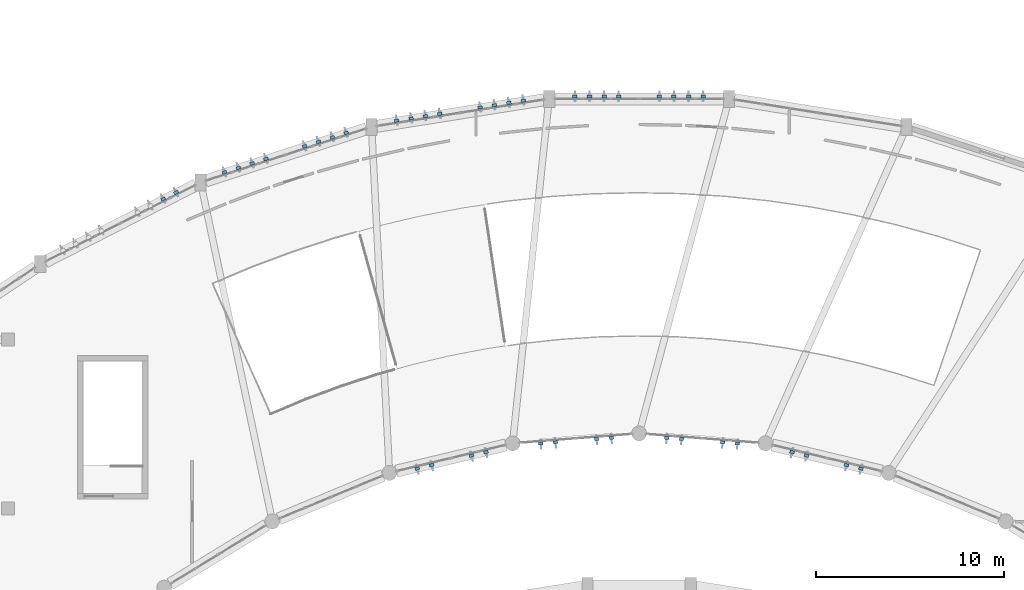
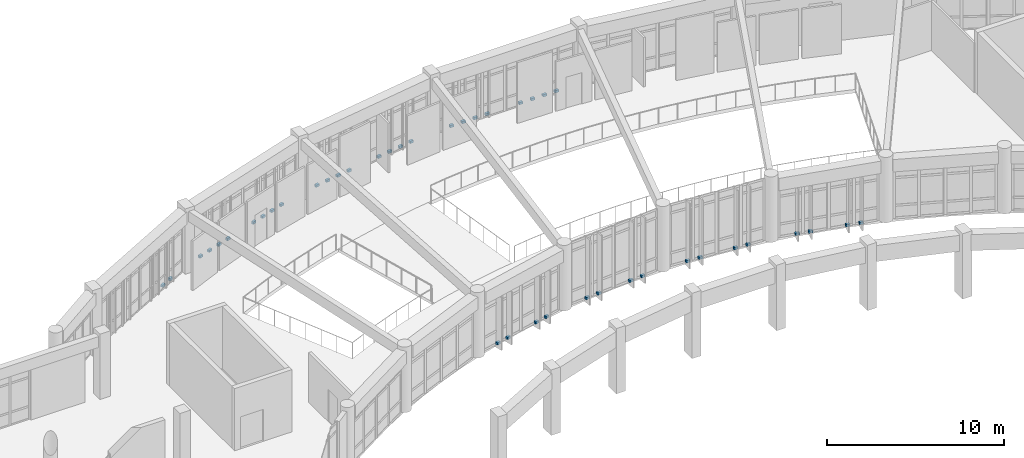
# One storey, part 49 of 54: 42 discrete accessories.
"""IFC4 building model written with IfcOpenShell, lengths in metres."""

from ifc_helpers import new_model, si_unit, direction, frame, origin, origin_2d, place, context, subcontext, project, spatial, rectangle, extrude, material, type_object, element, save


model = new_model("IFC4")

# Units and contexts
model_context = context("Model", 3, precision=1e-05, world=origin(), true_north=direction((0.0, 1.0)))
body_context = subcontext(model_context, "Body", "Model", "MODEL_VIEW")
ifc_project = project(units=[si_unit("LENGTHUNIT", "METRE"), si_unit("AREAUNIT", "SQUARE_METRE"), si_unit("VOLUMEUNIT", "CUBIC_METRE"), si_unit("PLANEANGLEUNIT", "RADIAN"), si_unit("MASSUNIT", "GRAM", prefix="KILO")], contexts=[model_context])

# Site, building, storey
site_placement = place(None, origin())
site = spatial("IfcSite", under=ifc_project, at=site_placement, CompositionType="ELEMENT")
building_placement = place(site_placement, origin())
building = spatial("IfcBuilding", under=site, at=building_placement, Name="Miralva Faculty of Natural Sciences", CompositionType="ELEMENT")
storey_placement = place(building_placement, frame((0.0, 0.0, 19.5)))
storey = spatial("IfcBuildingStorey", under=building, at=storey_placement, Name="L04", CompositionType="ELEMENT", Elevation=19.5)

# Discrete accessories
ifc_material = material(Name="Steel S355", Category="steel")
discrete_accessory_type = type_object("IfcDiscreteAccessoryType", Name="ACC-BRK01", PredefinedType="BRACKET", material=ifc_material)
for number, where, z_axis, x_axis, name in (
    (1, (78.188720703125, 20.12646484375, 0.0400390625), (0.0, 0.0, 1.0), (0.233445363856, -0.972369920398, 0.0), "Solar fin bracket L04-117"),
    (2, (78.956298828125, 20.310791015625, 0.0400390625), (0.0, 0.0, 1.0), (0.233445363856, -0.972369920398, 0.0), "Solar fin bracket L04-118"),
    (3, (81.08154296875, 20.821044921875, 0.0400390625), (0.0, 0.0, 1.0), (0.233445363856, -0.972369920398, 0.0), "Solar fin bracket L04-119"),
    (4, (81.8515625, 21.005859375, 0.0400390625), (0.0, 0.0, 1.0), (0.233445363856, -0.972369920398, 0.0), "Solar fin bracket L04-120"),
    (5, (84.76025390625, 21.46728515625, 0.0400390625), (0.0, 0.0, 1.0), (0.078459095728, -0.996917333733, 0.0), "Solar fin bracket L04-121"),
    (6, (85.55224609375, 21.529541015625, 0.0400390625), (0.0, 0.0, 1.0), (0.078459095728, -0.996917333733, 0.0), "Solar fin bracket L04-122"),
    (7, (87.736083984375, 21.701416015625, 0.0400390625), (0.0, 0.0, 1.0), (0.078459095728, -0.996917333733, 0.0), "Solar fin bracket L04-123"),
    (8, (88.530517578125, 21.763916015625, 0.0400390625), (0.0, 0.0, 1.0), (0.078459095728, -0.996917333733, 0.0), "Solar fin bracket L04-124"),
    (9, (91.46826171875, 21.76416015625, 0.0400390625), (0.0, 0.0, 1.0), (-0.078459095728, -0.996917333733, 0.0), "Solar fin bracket L04-125"),
    (10, (92.260009765625, 21.701904296875, 0.0400390625), (0.0, 0.0, 1.0), (-0.078459095728, -0.996917333733, 0.0), "Solar fin bracket L04-126"),
    (11, (94.444091796875, 21.52978515625, 0.0400390625), (0.0, 0.0, 1.0), (-0.078459095728, -0.996917333733, 0.0), "Solar fin bracket L04-127"),
    (12, (95.23828125, 21.46728515625, 0.0400390625), (0.0, 0.0, 1.0), (-0.078459095728, -0.996917333733, 0.0), "Solar fin bracket L04-128"),
    (13, (98.147216796875, 21.006103515625, 0.0400390625), (0.0, 0.0, 1.0), (-0.233445363856, -0.972369920398, 0.0), "Solar fin bracket L04-129"),
    (14, (98.914794921875, 20.822021484375, 0.0400390625), (0.0, 0.0, 1.0), (-0.233445363856, -0.972369920398, 0.0), "Solar fin bracket L04-130"),
    (15, (101.039794921875, 20.311767578125, 0.0400390625), (0.0, 0.0, 1.0), (-0.233445363856, -0.972369920398, 0.0), "Solar fin bracket L04-131"),
    (16, (101.809814453125, 20.126708984375, 0.0400390625), (0.0, 0.0, 1.0), (-0.233445363856, -0.972369920398, 0.0), "Solar fin bracket L04-132"),
    (17, (64.669677734375, 34.47900390625, 0.0400390625), (0.0, 0.0, 1.0), (-0.45399049974, 0.891006524188, 0.0), "Solar fin bracket L04-139"),
    (18, (65.354736328125, 34.828125, 0.0400390625), (0.0, 0.0, 1.0), (-0.45399049974, 0.891006524188, 0.0), "Solar fin bracket L04-140"),
    (19, (67.932861328125, 35.897705078125, 0.0400390625), (0.0, 0.0, 1.0), (-0.309016994375, 0.951056516295, 0.0), "Solar fin bracket L04-141"),
    (20, (68.66796875, 36.136474609375, 0.0400390625), (0.0, 0.0, 1.0), (-0.309016994375, 0.951056516295, 0.0), "Solar fin bracket L04-142"),
    (21, (69.40283203125, 36.375244140625, 0.0400390625), (0.0, 0.0, 1.0), (-0.309016994375, 0.951056516295, 0.0), "Solar fin bracket L04-143"),
    (22, (70.1376953125, 36.614013671875, 0.0400390625), (0.0, 0.0, 1.0), (-0.309016994375, 0.951056516295, 0.0), "Solar fin bracket L04-144"),
    (23, (72.199951171875, 37.2841796875, 0.0400390625), (0.0, 0.0, 1.0), (-0.309016994375, 0.951056516295, 0.0), "Solar fin bracket L04-145"),
    (24, (72.936279296875, 37.523193359375, 0.0400390625), (0.0, 0.0, 1.0), (-0.309016994375, 0.951056516295, 0.0), "Solar fin bracket L04-146"),
    (25, (73.67236328125, 37.762451171875, 0.0400390625), (0.0, 0.0, 1.0), (-0.309016994375, 0.951056516295, 0.0), "Solar fin bracket L04-147"),
    (26, (74.408447265625, 38.001708984375, 0.0400390625), (0.0, 0.0, 1.0), (-0.309016994375, 0.951056516295, 0.0), "Solar fin bracket L04-148"),
    (27, (77.0966796875, 38.64794921875, 0.0400390625), (0.0, 0.0, 1.0), (-0.15643446504, 0.987688340595, 0.0), "Solar fin bracket L04-149"),
    (28, (77.862548828125, 38.76904296875, 0.0400390625), (0.0, 0.0, 1.0), (-0.15643446504, 0.987688340595, 0.0), "Solar fin bracket L04-150"),
    (29, (78.628173828125, 38.890380859375, 0.0400390625), (0.0, 0.0, 1.0), (-0.15643446504, 0.987688340595, 0.0), "Solar fin bracket L04-151"),
    (30, (79.393798828125, 39.01171875, 0.0400390625), (0.0, 0.0, 1.0), (-0.15643446504, 0.987688340595, 0.0), "Solar fin bracket L04-152"),
    (31, (81.5380859375, 39.351318359375, 0.0400390625), (0.0, 0.0, 1.0), (-0.15643446504, 0.987688340595, 0.0), "Solar fin bracket L04-153"),
    (32, (82.304931640625, 39.47265625, 0.0400390625), (0.0, 0.0, 1.0), (-0.15643446504, 0.987688340595, 0.0), "Solar fin bracket L04-154"),
    (33, (83.072021484375, 39.593994140625, 0.0400390625), (0.0, 0.0, 1.0), (-0.15643446504, 0.987688340595, 0.0), "Solar fin bracket L04-155"),
    (34, (83.8388671875, 39.715576171875, 0.0400390625), (0.0, 0.0, 1.0), (-0.15643446504, 0.987688340595, 0.0), "Solar fin bracket L04-156"),
    (35, (86.586669921875, 39.931884765625, 0.0400390625), (0.0, 0.0, 1.0), (0.0, 1.0, 0.0), "Solar fin bracket L04-157"),
    (36, (87.36181640625, 39.931884765625, 0.0400390625), (0.0, 0.0, 1.0), (0.0, 1.0, 0.0), "Solar fin bracket L04-158"),
    (37, (88.13720703125, 39.931884765625, 0.0400390625), (0.0, 0.0, 1.0), (0.0, 1.0, 0.0), "Solar fin bracket L04-159"),
    (38, (88.912353515625, 39.931884765625, 0.0400390625), (0.0, 0.0, 1.0), (0.0, 1.0, 0.0), "Solar fin bracket L04-160"),
    (39, (91.083251953125, 39.931884765625, 0.0400390625), (0.0, 0.0, 1.0), (0.0, 1.0, 0.0), "Solar fin bracket L04-161"),
    (40, (91.85986328125, 39.931884765625, 0.0400390625), (0.0, 0.0, 1.0), (0.0, 1.0, 0.0), "Solar fin bracket L04-162"),
    (41, (92.63623046875, 39.931884765625, 0.0400390625), (0.0, 0.0, 1.0), (0.0, 1.0, 0.0), "Solar fin bracket L04-163"),
    (42, (93.412841796875, 39.931884765625, 0.0400390625), (0.0, 0.0, 1.0), (0.0, 1.0, 0.0), "Solar fin bracket L04-164"),
):
    element("IfcDiscreteAccessory", number, at=place(storey_placement, frame(where, z_axis=z_axis, x_axis=x_axis)), inside=storey, type_object=discrete_accessory_type, Name=name, PredefinedType="BRACKET", context=body_context, shape_type="SweptSolid", body=[
        extrude(rectangle(XDim=0.159912109375, YDim=0.239990234375, at=origin_2d()), origin(), (0.0, 0.0, 1.0), 0.159912109375),
    ])

save(model, "model.ifc")
